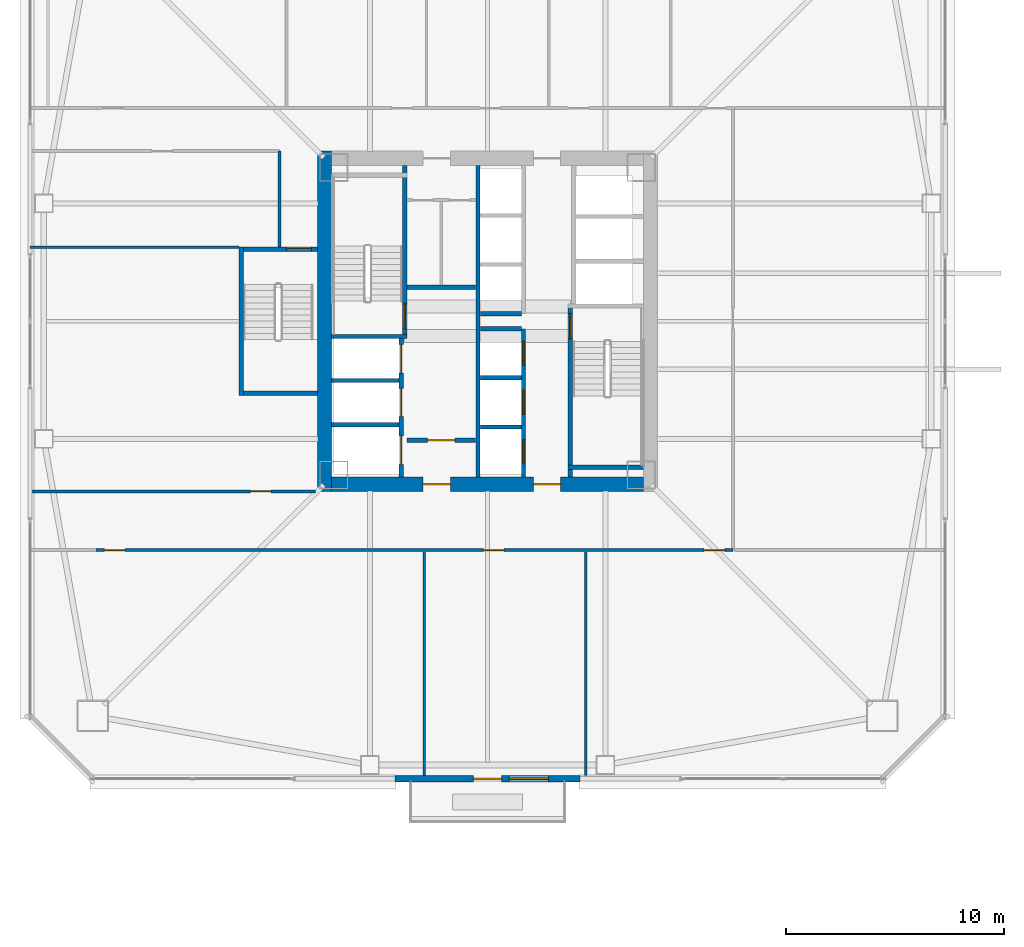
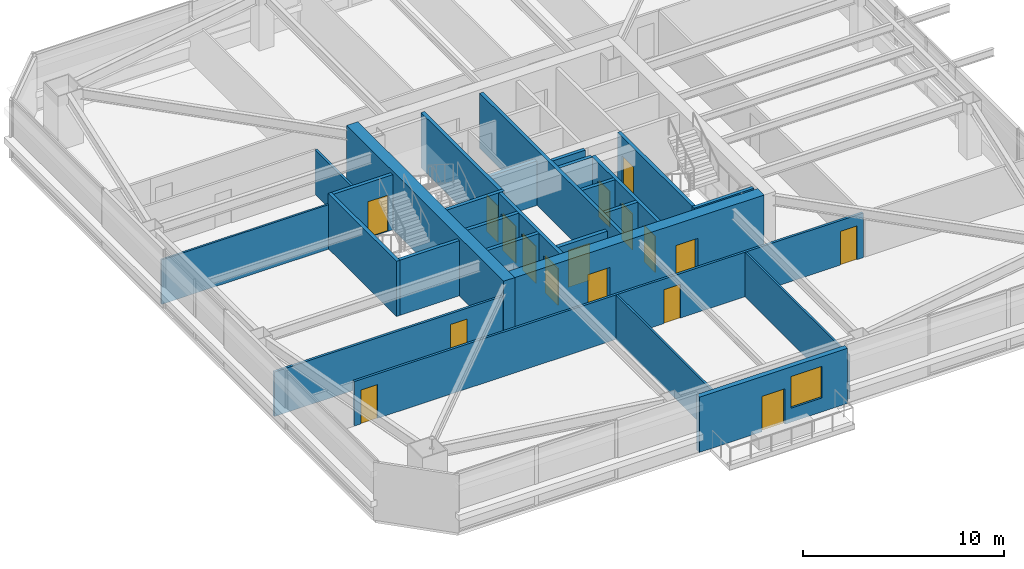
# One storey, part 33 of 44: 27 walls, 17 doors, 1 window, 18 openings.
"""IFC4 building model written with IfcOpenShell, lengths in metres."""

from ifc_helpers import new_model, si_unit, direction, frame, frame_2d, origin, place, context, subcontext, project, spatial, rectangle, extrude, material, layer, layer_set, type_object, element, fill, save


model = new_model("IFC4")

# Units and contexts
model_context = context("Model", 3, precision=1e-05, world=origin(), true_north=direction((0.0, 1.0)))
body_context = subcontext(model_context, "Body", "Model", "MODEL_VIEW")
ifc_project = project(units=[si_unit("LENGTHUNIT", "METRE"), si_unit("AREAUNIT", "SQUARE_METRE"), si_unit("VOLUMEUNIT", "CUBIC_METRE"), si_unit("PLANEANGLEUNIT", "RADIAN"), si_unit("MASSUNIT", "GRAM", prefix="KILO")], contexts=[model_context])

# Site, building, storey
site_placement = place(None, origin())
site = spatial("IfcSite", under=ifc_project, at=site_placement, CompositionType="ELEMENT")
building_placement = place(site_placement, origin())
building = spatial("IfcBuilding", under=site, at=building_placement, Name="Tashvorn Skyway Center", CompositionType="ELEMENT")
storey_placement = place(building_placement, frame((0.0, 0.0, 95.60009765625)))
storey = spatial("IfcBuildingStorey", under=building, at=storey_placement, Name="L25", CompositionType="ELEMENT", Elevation=95.60009765625)

# Wall
ifc_material_1 = material(Name="Concrete C60/75", Category="concrete")
ifc_layer_1 = layer(ifc_material_1, 0.64990234375)
ifc_layer_set_1 = layer_set([ifc_layer_1], Name="Concrete C60/75")
wall_type_1 = type_object("IfcWallType", Name="WALL-CORE-650", PredefinedType="SHEAR", material=ifc_layer_set_1)
wall_1_placement = place(storey_placement, frame((34.52490234375, 24.199951171875, 0.0), z_axis=(0.0, 0.0, 1.0), x_axis=(0.0, 1.0, 0.0)))
element("IfcWall", 1, at=wall_1_placement, inside=storey, type_object=wall_type_1, Name="Tower 1 L25 West Core Shear Wall", PredefinedType="SHEAR", context=body_context, shape_type="SweptSolid", body=[
    extrude(rectangle(XDim=15.60009765625, YDim=0.64990234375, at=frame_2d((7.800048828125, 0.0))), origin(), (0.0, 0.0, 1.0), 3.5498046875),
])

# Wall, openings, doors
wall_2_placement = place(storey_placement, frame((49.14990234375, 24.52490234375, 0.0), z_axis=(0.0, 0.0, 1.0), x_axis=(-1.0, 0.0, 0.0)))
wall_2 = element("IfcWall", 2, at=wall_2_placement, inside=storey, type_object=wall_type_1, Name="Tower 1 L25 South Core Shear Wall", PredefinedType="SHEAR", context=body_context, shape_type="SweptSolid", body=[
    extrude(rectangle(XDim=14.2998046875, YDim=0.64990234375, at=frame_2d((7.14990234375, 0.0))), origin(), (0.0, 0.0, 1.0), 3.5498046875),
])
opening_1_placement = place(wall_2_placement, frame((8.85009765625, 0.0, 0.0)))
opening_1 = element("IfcOpeningElement", 3, at=opening_1_placement, cuts=wall_2, Name="Opening D-FFL-1250", PredefinedType="OPENING", context=body_context, shape_type="SweptSolid", body=[
    extrude(rectangle(XDim=1.25, YDim=2.25, at=frame_2d((0.625, 1.125))), frame((0.0, 0.3349609375, 0.0), z_axis=(0.0, -1.0, 0.0), x_axis=(1.0, 0.0, 0.0)), (0.0, 0.0, 1.0), 0.669921875),
])
opening_2_placement = place(wall_2_placement, frame((3.800048828125, 0.0, 0.0)))
opening_2 = element("IfcOpeningElement", 4, at=opening_2_placement, cuts=wall_2, Name="Opening D-FFL-1250", PredefinedType="OPENING", context=body_context, shape_type="SweptSolid", body=[
    extrude(rectangle(XDim=1.25, YDim=2.25, at=frame_2d((0.625, 1.125))), frame((0.0, 0.3349609375, 0.0), z_axis=(0.0, -1.0, 0.0), x_axis=(1.0, 0.0, 0.0)), (0.0, 0.0, 1.0), 0.669921875),
])
ifc_material_2 = material(Name="Hollow galvanized steel fire door assembly", Category="steel")
door_type_1 = type_object("IfcDoorType", Name="DOOR-FFL-1250", OperationType="NOTDEFINED", PredefinedType="DOOR", material=ifc_material_2)
door_1_placement = place(opening_1_placement, origin())
door_1 = element("IfcDoor", 5, at=door_1_placement, inside=storey, type_object=door_type_1, Name="Tower 1 L25 Core South Firefighting Exit Door", OperationType="SINGLE_SWING_LEFT", OverallHeight=2.25, OverallWidth=1.25, PredefinedType="DOOR", context=body_context, shape_type="SweptSolid", body=[
    extrude(rectangle(XDim=1.25, YDim=2.25, at=frame_2d((0.625, 1.125))), frame((0.0, 0.02490234375, 0.0), z_axis=(0.0, -1.0, 0.0), x_axis=(1.0, 0.0, 0.0)), (0.0, 0.0, 1.0), 0.050048828125),
])
fill(opening_1, door_1)
door_2_placement = place(opening_2_placement, origin())
door_2 = element("IfcDoor", 6, at=door_2_placement, inside=storey, type_object=door_type_1, Name="Tower 1 L25 Core South Lift Lobby Door", OperationType="SINGLE_SWING_RIGHT", OverallHeight=2.25, OverallWidth=1.25, PredefinedType="DOOR", context=body_context, shape_type="SweptSolid", body=[
    extrude(rectangle(XDim=1.25, YDim=2.25, at=frame_2d((0.625, 1.125))), frame((0.0, 0.02490234375, 0.0), z_axis=(0.0, -1.0, 0.0), x_axis=(1.0, 0.0, 0.0)), (0.0, 0.0, 1.0), 0.050048828125),
])
fill(opening_2, door_2)

# Wall, openings, door, window
ifc_material_3 = material(Name="Precast concrete C40/50", Category="concrete")
ifc_layer_2 = layer(ifc_material_3, 0.280029296875)
ifc_layer_set_2 = layer_set([ifc_layer_2], Name="Precast concrete C40/50")
wall_type_2 = type_object("IfcWallType", Name="WALL-EXT-280", PredefinedType="SOLIDWALL", material=ifc_layer_set_2)
wall_3_placement = place(storey_placement, frame((46.25, 11.02001953125, 0.0), z_axis=(0.0, 0.0, 1.0), x_axis=(-1.0, 0.0, 0.0)))
wall_3 = element("IfcWall", 7, at=wall_3_placement, inside=storey, type_object=wall_type_2, Name="Tower 1 L25 South Terrace Portal Wall", PredefinedType="SOLIDWALL", context=body_context, shape_type="SweptSolid", body=[
    extrude(rectangle(XDim=8.5, YDim=0.280029296875, at=frame_2d((4.25, 0.0))), origin(), (0.0, 0.0, 1.0), 3.349853515625),
])
opening_3_placement = place(wall_3_placement, frame((3.60009765625, 0.0, 0.0)))
opening_3 = element("IfcOpeningElement", 8, at=opening_3_placement, cuts=wall_3, Name="Opening D-TER-1300", PredefinedType="OPENING", context=body_context, shape_type="SweptSolid", body=[
    extrude(rectangle(XDim=1.300048828125, YDim=2.14990234375, at=frame_2d((0.64990234375, 1.074951171875))), frame((0.0, 0.14990234375, 0.0), z_axis=(0.0, -1.0, 0.0), x_axis=(1.0, 0.0, 0.0)), (0.0, 0.0, 1.0), 0.300048828125),
])
opening_4_placement = place(wall_3_placement, frame((1.4599609375, 0.0, 0.85009765625)))
opening_4 = element("IfcOpeningElement", 9, at=opening_4_placement, cuts=wall_3, Name="Opening WIN-1800", PredefinedType="OPENING", context=body_context, shape_type="SweptSolid", body=[
    extrude(rectangle(XDim=1.800048828125, YDim=1.919921875, at=frame_2d((0.89990234375, 0.9599609375))), frame((0.0, 0.14990234375, 0.0), z_axis=(0.0, -1.0, 0.0), x_axis=(1.0, 0.0, 0.0)), (0.0, 0.0, 1.0), 0.300048828125),
])
ifc_material_4 = material(Name="Thermally broken bronze-anodized aluminium 6063-T6", Category="aluminium")
door_type_2 = type_object("IfcDoorType", Name="DOOR-TERR-1300", OperationType="NOTDEFINED", PredefinedType="DOOR", material=ifc_material_4)
door_3_placement = place(opening_3_placement, origin())
door_3 = element("IfcDoor", 10, at=door_3_placement, inside=storey, type_object=door_type_2, Name="Tower 1 L25 Terrace Access Door", OperationType="SINGLE_SWING_LEFT", OverallHeight=2.14990234375, OverallWidth=1.300048828125, PredefinedType="DOOR", context=body_context, shape_type="SweptSolid", body=[
    extrude(rectangle(XDim=1.300048828125, YDim=2.14990234375, at=frame_2d((0.64990234375, 1.074951171875))), frame((0.0, 0.02490234375, 0.0), z_axis=(0.0, -1.0, 0.0), x_axis=(1.0, 0.0, 0.0)), (0.0, 0.0, 1.0), 0.050048828125),
])
fill(opening_3, door_3)
ifc_material_5 = material(Name="Low-E solar-control double insulating safety glass", Category="glass")
window_type = type_object("IfcWindowType", Name="WIN-TERR-1800", PartitioningType="SINGLE_PANEL", PredefinedType="WINDOW", material=ifc_material_5)
window_placement = place(opening_4_placement, origin())
window = element("IfcWindow", 11, at=window_placement, inside=storey, type_object=window_type, Name="Tower 1 L25 Terrace Window", OverallHeight=1.919921875, OverallWidth=1.800048828125, PartitioningType="SINGLE_PANEL", PredefinedType="WINDOW", context=body_context, shape_type="SweptSolid", body=[
    extrude(rectangle(XDim=1.800048828125, YDim=1.919921875, at=frame_2d((0.89990234375, 0.9599609375))), frame((0.0, 0.030029296875, 0.0), z_axis=(0.0, -1.0, 0.0), x_axis=(1.0, 0.0, 0.0)), (0.0, 0.0, 1.0), 0.06005859375),
])
fill(opening_4, window)

# Wall
ifc_material_6 = material(Name="Concrete C40/50", Category="concrete")
ifc_layer_3 = layer(ifc_material_6, 0.219970703125)
ifc_layer_set_3 = layer_set([ifc_layer_3], Name="Concrete C40/50")
wall_type_3 = type_object("IfcWallType", Name="WALL-FFL-220", PredefinedType="SOLIDWALL", material=ifc_layer_set_3)
wall_4_placement = place(storey_placement, frame((38.300048828125, 33.56005859375, 0.0), z_axis=(0.0, 0.0, 1.0), x_axis=(1.0, 0.0, 0.0)))
element("IfcWall", 12, at=wall_4_placement, inside=storey, type_object=wall_type_3, Name="Tower 1 L25 Firefighting Lobby North Wall", PredefinedType="SOLIDWALL", context=body_context, shape_type="SweptSolid", body=[
    extrude(rectangle(XDim=3.14990234375, YDim=0.219970703125, at=frame_2d((1.574951171875, 0.0))), origin(), (0.0, 0.0, 1.0), 2.702880859375),
])

# Wall, opening, door
wall_5_placement = place(storey_placement, frame((38.300048828125, 26.5400390625, 0.0), z_axis=(0.0, 0.0, 1.0), x_axis=(1.0, 0.0, 0.0)))
wall_5 = element("IfcWall", 13, at=wall_5_placement, inside=storey, type_object=wall_type_3, Name="Tower 1 L25 Firefighting Lobby South Wall", PredefinedType="SOLIDWALL", context=body_context, shape_type="SweptSolid", body=[
    extrude(rectangle(XDim=3.14990234375, YDim=0.219970703125, at=frame_2d((1.574951171875, 0.0))), origin(), (0.0, 0.0, 1.0), 2.702880859375),
])
opening_5_placement = place(wall_5_placement, frame((0.949951171875, 0.0, 0.0)))
opening_5 = element("IfcOpeningElement", 14, at=opening_5_placement, cuts=wall_5, Name="Opening D-FFL-1250", PredefinedType="OPENING", context=body_context, shape_type="SweptSolid", body=[
    extrude(rectangle(XDim=1.25, YDim=2.25, at=frame_2d((0.625, 1.125))), frame((0.0, 0.119873046875, 0.0), z_axis=(0.0, -1.0, 0.0), x_axis=(1.0, 0.0, 0.0)), (0.0, 0.0, 1.0), 0.239990234375),
])
door_4_placement = place(opening_5_placement, origin())
door_4 = element("IfcDoor", 15, at=door_4_placement, inside=storey, type_object=door_type_1, Name="Tower 1 L25 Firefighting Lobby Egress Door", OperationType="SINGLE_SWING_LEFT", OverallHeight=2.25, OverallWidth=1.25, PredefinedType="DOOR", context=body_context, shape_type="SweptSolid", body=[
    extrude(rectangle(XDim=1.25, YDim=2.25, at=frame_2d((0.625, 1.125))), frame((0.0, 0.02490234375, 0.0), z_axis=(0.0, -1.0, 0.0), x_axis=(1.0, 0.0, 0.0)), (0.0, 0.0, 1.0), 0.050048828125),
])
fill(opening_5, door_4)

# Walls
ifc_material_7 = material(Name="Gypsum board on cold-formed steel stud framing", Category="steel")
ifc_layer_4 = layer(ifc_material_7, 0.110107421875)
ifc_layer_set_4 = layer_set([ifc_layer_4], Name="Gypsum board on cold-formed steel stud framing")
wall_type_4 = type_object("IfcWallType", Name="WALL-PART-110", PredefinedType="PARTITIONING", material=ifc_layer_set_4)
for number, where, z_axis, x_axis, name in (
    (16, (39.10009765625, 11.169921875, 0.0), (0.0, 0.0, 1.0), (0.0, 1.0, 0.0), "Tower 1 L25 South Suite Partition 1"),
    (17, (46.5, 11.169921875, 0.0), (0.0, 0.0, 1.0), (0.0, 1.0, 0.0), "Tower 1 L25 South Suite Partition 2"),
):
    element("IfcWall", number, at=place(storey_placement, frame(where, z_axis=z_axis, x_axis=x_axis)), inside=storey, type_object=wall_type_4, Name=name, PredefinedType="PARTITIONING", context=body_context, shape_type="SweptSolid", body=[
        extrude(rectangle(XDim=10.25, YDim=0.110107421875, at=frame_2d((5.125, 0.0))), origin(), (0.0, 0.0, 1.0), 2.702880859375),
    ])
wall_6_placement = place(storey_placement, frame((30.60009765625, 35.39990234375, 0.0), z_axis=(0.0, 0.0, 1.0), x_axis=(-1.0, 0.0, 0.0)))
element("IfcWall", 18, at=wall_6_placement, inside=storey, type_object=wall_type_4, Name="Tower 1 L25 West Suite Partition 1", PredefinedType="PARTITIONING", context=body_context, shape_type="SweptSolid", body=[
    extrude(rectangle(XDim=9.580078125, YDim=0.110107421875, at=frame_2d((4.7900390625, 0.0))), origin(), (0.0, 0.0, 1.0), 2.702880859375),
])
ifc_layer_5 = layer(ifc_material_7, 0.135009765625)
ifc_layer_set_5 = layer_set([ifc_layer_5], Name="Gypsum board on cold-formed steel stud framing")
wall_type_5 = type_object("IfcWallType", Name="WALL-PART-135", PredefinedType="PARTITIONING", material=ifc_layer_set_5)
wall_7_placement = place(storey_placement, frame((32.449951171875, 35.39990234375, 0.0), z_axis=(0.0, 0.0, 1.0), x_axis=(0.0, 1.0, 0.0)))
element("IfcWall", 19, at=wall_7_placement, inside=storey, type_object=wall_type_5, Name="Tower 1 L25 Stair 3 Access Corridor Wall", PredefinedType="PARTITIONING", context=body_context, shape_type="SweptSolid", body=[
    extrude(rectangle(XDim=4.400146484375, YDim=0.135009765625, at=frame_2d((2.2001953125, 0.0))), origin(), (0.0, 0.0, 1.0), 2.702880859375),
])

# Wall, openings, doors
wall_8_placement = place(storey_placement, frame((53.25, 21.5, 0.0), z_axis=(0.0, 0.0, 1.0), x_axis=(-1.0, 0.0, 0.0)))
wall_8 = element("IfcWall", 20, at=wall_8_placement, inside=storey, type_object=wall_type_5, Name="Tower 1 L25 South Suite Wall", PredefinedType="PARTITIONING", context=body_context, shape_type="SweptSolid", body=[
    extrude(rectangle(XDim=29.199951171875, YDim=0.135009765625, at=frame_2d((14.60009765625, 0.0))), origin(), (0.0, 0.0, 1.0), 2.702880859375),
])
opening_6_placement = place(wall_8_placement, frame((27.8701171875, 0.0, 0.0)))
opening_6 = element("IfcOpeningElement", 21, at=opening_6_placement, cuts=wall_8, Name="Opening D-INT-950", PredefinedType="OPENING", context=body_context, shape_type="SweptSolid", body=[
    extrude(rectangle(XDim=0.949951171875, YDim=2.050048828125, at=frame_2d((0.47509765625, 1.02490234375))), frame((0.0, 0.077392578125, 0.0), z_axis=(0.0, -1.0, 0.0), x_axis=(1.0, 0.0, 0.0)), (0.0, 0.0, 1.0), 0.155029296875),
])
opening_7_placement = place(wall_8_placement, frame((10.4921875, 0.0, 0.0)))
opening_7 = element("IfcOpeningElement", 22, at=opening_7_placement, cuts=wall_8, Name="Opening D-INT-950", PredefinedType="OPENING", context=body_context, shape_type="SweptSolid", body=[
    extrude(rectangle(XDim=0.949951171875, YDim=2.050048828125, at=frame_2d((0.47509765625, 1.02490234375))), frame((0.0, 0.077392578125, 0.0), z_axis=(0.0, -1.0, 0.0), x_axis=(1.0, 0.0, 0.0)), (0.0, 0.0, 1.0), 0.155029296875),
])
opening_8_placement = place(wall_8_placement, frame((0.3798828125, 0.0, 0.0)))
opening_8 = element("IfcOpeningElement", 23, at=opening_8_placement, cuts=wall_8, Name="Opening D-INT-950", PredefinedType="OPENING", context=body_context, shape_type="SweptSolid", body=[
    extrude(rectangle(XDim=0.949951171875, YDim=2.050048828125, at=frame_2d((0.47509765625, 1.02490234375))), frame((0.0, 0.077392578125, 0.0), z_axis=(0.0, -1.0, 0.0), x_axis=(1.0, 0.0, 0.0)), (0.0, 0.0, 1.0), 0.155029296875),
])
ifc_material_8 = material(Name="Solid-core architectural oak veneer door")
door_type_3 = type_object("IfcDoorType", Name="DOOR-INT-950", OperationType="NOTDEFINED", PredefinedType="DOOR", material=ifc_material_8)
door_5_placement = place(opening_6_placement, origin())
door_5 = element("IfcDoor", 24, at=door_5_placement, inside=storey, type_object=door_type_3, Name="Tower 1 L25 Research Library Door", OperationType="SINGLE_SWING_LEFT", OverallHeight=2.050048828125, OverallWidth=0.949951171875, PredefinedType="DOOR", context=body_context, shape_type="SweptSolid", body=[
    extrude(rectangle(XDim=0.949951171875, YDim=2.050048828125, at=frame_2d((0.47509765625, 1.02490234375))), frame((0.0, 0.02490234375, 0.0), z_axis=(0.0, -1.0, 0.0), x_axis=(1.0, 0.0, 0.0)), (0.0, 0.0, 1.0), 0.050048828125),
])
fill(opening_6, door_5)
door_6_placement = place(opening_7_placement, origin())
door_6 = element("IfcDoor", 25, at=door_6_placement, inside=storey, type_object=door_type_3, Name="Tower 1 L25 Reading Lounge Door", OperationType="SINGLE_SWING_RIGHT", OverallHeight=2.050048828125, OverallWidth=0.949951171875, PredefinedType="DOOR", context=body_context, shape_type="SweptSolid", body=[
    extrude(rectangle(XDim=0.949951171875, YDim=2.050048828125, at=frame_2d((0.47509765625, 1.02490234375))), frame((0.0, 0.02490234375, 0.0), z_axis=(0.0, -1.0, 0.0), x_axis=(1.0, 0.0, 0.0)), (0.0, 0.0, 1.0), 0.050048828125),
])
fill(opening_7, door_6)
door_7_placement = place(opening_8_placement, origin())
door_7 = element("IfcDoor", 26, at=door_7_placement, inside=storey, type_object=door_type_3, Name="Tower 1 L25 Reading Lounge Door", OperationType="SINGLE_SWING_LEFT", OverallHeight=2.050048828125, OverallWidth=0.949951171875, PredefinedType="DOOR", context=body_context, shape_type="SweptSolid", body=[
    extrude(rectangle(XDim=0.949951171875, YDim=2.050048828125, at=frame_2d((0.47509765625, 1.02490234375))), frame((0.0, 0.02490234375, 0.0), z_axis=(0.0, -1.0, 0.0), x_axis=(1.0, 0.0, 0.0)), (0.0, 0.0, 1.0), 0.050048828125),
])
fill(opening_8, door_7)

# Wall, opening, door
wall_9_placement = place(storey_placement, frame((21.02001953125, 24.199951171875, 0.0), z_axis=(0.0, 0.0, 1.0), x_axis=(1.0, 0.0, 0.0)))
wall_9 = element("IfcWall", 27, at=wall_9_placement, inside=storey, type_object=wall_type_5, Name="Tower 1 L25 West Suite South Wall", PredefinedType="PARTITIONING", context=body_context, shape_type="SweptSolid", body=[
    extrude(rectangle(XDim=13.10009765625, YDim=0.135009765625, at=frame_2d((6.550048828125, 0.0))), origin(), (0.0, 0.0, 1.0), 2.702880859375),
])
opening_9_placement = place(wall_9_placement, frame((10.10498046875, 0.0, 0.0)))
opening_9 = element("IfcOpeningElement", 28, at=opening_9_placement, cuts=wall_9, Name="Opening D-INT-950", PredefinedType="OPENING", context=body_context, shape_type="SweptSolid", body=[
    extrude(rectangle(XDim=0.949951171875, YDim=2.050048828125, at=frame_2d((0.47509765625, 1.02490234375))), frame((0.0, 0.077392578125, 0.0), z_axis=(0.0, -1.0, 0.0), x_axis=(1.0, 0.0, 0.0)), (0.0, 0.0, 1.0), 0.155029296875),
])
door_8_placement = place(opening_9_placement, origin())
door_8 = element("IfcDoor", 29, at=door_8_placement, inside=storey, type_object=door_type_3, Name="Tower 1 L25 Public Restroom Door", OperationType="SINGLE_SWING_RIGHT", OverallHeight=2.050048828125, OverallWidth=0.949951171875, PredefinedType="DOOR", context=body_context, shape_type="SweptSolid", body=[
    extrude(rectangle(XDim=0.949951171875, YDim=2.050048828125, at=frame_2d((0.47509765625, 1.02490234375))), frame((0.0, 0.02490234375, 0.0), z_axis=(0.0, -1.0, 0.0), x_axis=(1.0, 0.0, 0.0)), (0.0, 0.0, 1.0), 0.050048828125),
])
fill(opening_9, door_8)

# Walls
ifc_layer_6 = layer(ifc_material_6, 0.199951171875)
ifc_layer_set_6 = layer_set([ifc_layer_6], Name="Concrete C40/50")
wall_type_6 = type_object("IfcWallType", Name="WALL-SHAFT-200", PredefinedType="SOLIDWALL", material=ifc_layer_set_6)
for number, where, z_axis, x_axis, name in (
    (30, (34.85009765625, 27.25, 0.0), (0.0, 0.0, 1.0), (1.0, 0.0, 0.0), "Tower 1 L25 FSAE Shaft Divider"),
    (31, (34.85009765625, 29.280029296875, 0.0), (0.0, 0.0, 1.0), (1.0, 0.0, 0.0), "Tower 1 L25 FSAE Shaft Divider"),
):
    element("IfcWall", number, at=place(storey_placement, frame(where, z_axis=z_axis, x_axis=x_axis)), inside=storey, type_object=wall_type_6, Name=name, PredefinedType="SOLIDWALL", context=body_context, shape_type="SweptSolid", body=[
        extrude(rectangle(XDim=3.099853515625, YDim=0.199951171875, at=frame_2d((1.5498046875, 0.0))), origin(), (0.0, 0.0, 1.0), 3.349853515625),
    ])

# Wall, openings, doors
wall_10_placement = place(storey_placement, frame((43.64990234375, 24.85009765625, 0.0), z_axis=(0.0, 0.0, 1.0), x_axis=(0.0, 1.0, 0.0)))
wall_10 = element("IfcWall", 32, at=wall_10_placement, inside=storey, type_object=wall_type_6, Name="Tower 1 L25 Low-Rise Core Wall", PredefinedType="SOLIDWALL", context=body_context, shape_type="SweptSolid", body=[
    extrude(rectangle(XDim=6.7998046875, YDim=0.199951171875, at=frame_2d((3.39990234375, 0.0))), origin(), (0.0, 0.0, 1.0), 3.349853515625),
])
opening_10_placement = place(wall_10_placement, frame((0.625, 0.0, 0.0)))
opening_10 = element("IfcOpeningElement", 33, at=opening_10_placement, cuts=wall_10, Name="Opening LD-LR-T1-1-L25", PredefinedType="OPENING", context=body_context, shape_type="SweptSolid", body=[
    extrude(rectangle(XDim=1.10009765625, YDim=2.199951171875, at=frame_2d((0.550048828125, 1.10009765625))), frame((0.0, 0.10986328125, 0.0), z_axis=(0.0, -1.0, 0.0), x_axis=(1.0, 0.0, 0.0)), (0.0, 0.0, 1.0), 0.219970703125),
])
opening_11_placement = place(wall_10_placement, frame((2.875, 0.0, 0.0)))
opening_11 = element("IfcOpeningElement", 34, at=opening_11_placement, cuts=wall_10, Name="Opening LD-LR-T1-2-L25", PredefinedType="OPENING", context=body_context, shape_type="SweptSolid", body=[
    extrude(rectangle(XDim=1.10009765625, YDim=2.199951171875, at=frame_2d((0.550048828125, 1.10009765625))), frame((0.0, 0.10986328125, 0.0), z_axis=(0.0, -1.0, 0.0), x_axis=(1.0, 0.0, 0.0)), (0.0, 0.0, 1.0), 0.219970703125),
])
opening_12_placement = place(wall_10_placement, frame((5.125, 0.0, 0.0)))
opening_12 = element("IfcOpeningElement", 35, at=opening_12_placement, cuts=wall_10, Name="Opening LD-LR-T1-3-L25", PredefinedType="OPENING", context=body_context, shape_type="SweptSolid", body=[
    extrude(rectangle(XDim=1.10009765625, YDim=2.199951171875, at=frame_2d((0.550048828125, 1.10009765625))), frame((0.0, 0.10986328125, 0.0), z_axis=(0.0, -1.0, 0.0), x_axis=(1.0, 0.0, 0.0)), (0.0, 0.0, 1.0), 0.219970703125),
])
ifc_material_9 = material(Name="Stainless steel landing door", Category="steel")
door_type_4 = type_object("IfcDoorType", Name="DOOR-LIFT-1100", OperationType="SLIDING_TO_LEFT", PredefinedType="DOOR", material=ifc_material_9)
door_9_placement = place(opening_10_placement, origin())
door_9 = element("IfcDoor", 36, at=door_9_placement, inside=storey, type_object=door_type_4, Name="Lift LR-T1-1 L25 Landing Door", OperationType="SLIDING_TO_LEFT", OverallHeight=2.199951171875, OverallWidth=1.10009765625, PredefinedType="DOOR", context=body_context, shape_type="SweptSolid", body=[
    extrude(rectangle(XDim=1.10009765625, YDim=2.199951171875, at=frame_2d((0.550048828125, 1.10009765625))), frame((0.0, 0.02490234375, 0.0), z_axis=(0.0, -1.0, 0.0), x_axis=(1.0, 0.0, 0.0)), (0.0, 0.0, 1.0), 0.050048828125),
])
fill(opening_10, door_9)
door_10_placement = place(opening_11_placement, origin())
door_10 = element("IfcDoor", 37, at=door_10_placement, inside=storey, type_object=door_type_4, Name="Lift LR-T1-2 L25 Landing Door", OperationType="SLIDING_TO_LEFT", OverallHeight=2.199951171875, OverallWidth=1.10009765625, PredefinedType="DOOR", context=body_context, shape_type="SweptSolid", body=[
    extrude(rectangle(XDim=1.10009765625, YDim=2.199951171875, at=frame_2d((0.550048828125, 1.10009765625))), frame((0.0, 0.02490234375, 0.0), z_axis=(0.0, -1.0, 0.0), x_axis=(1.0, 0.0, 0.0)), (0.0, 0.0, 1.0), 0.050048828125),
])
fill(opening_11, door_10)
door_11_placement = place(opening_12_placement, origin())
door_11 = element("IfcDoor", 38, at=door_11_placement, inside=storey, type_object=door_type_4, Name="Lift LR-T1-3 L25 Landing Door", OperationType="SLIDING_TO_LEFT", OverallHeight=2.199951171875, OverallWidth=1.10009765625, PredefinedType="DOOR", context=body_context, shape_type="SweptSolid", body=[
    extrude(rectangle(XDim=1.10009765625, YDim=2.199951171875, at=frame_2d((0.550048828125, 1.10009765625))), frame((0.0, 0.02490234375, 0.0), z_axis=(0.0, -1.0, 0.0), x_axis=(1.0, 0.0, 0.0)), (0.0, 0.0, 1.0), 0.050048828125),
])
fill(opening_12, door_11)

# Walls
for number, where, z_axis, x_axis, name in (
    (39, (41.669921875, 27.14990234375, 0.0), (0.0, 0.0, 1.0), (1.0, 0.0, 0.0), "Tower 1 L25 Low-Rise Shaft Divider"),
    (40, (41.669921875, 29.39990234375, 0.0), (0.0, 0.0, 1.0), (1.0, 0.0, 0.0), "Tower 1 L25 Low-Rise Shaft Divider"),
    (41, (41.669921875, 31.64990234375, 0.0), (0.0, 0.0, 1.0), (1.0, 0.0, 0.0), "Tower 1 L25 Low-Rise Shaft Divider"),
    (42, (41.669921875, 32.35009765625, 0.0), (0.0, 0.0, 1.0), (1.0, 0.0, 0.0), "Tower 1 L25 Mid-Rise Shaft Divider"),
):
    element("IfcWall", number, at=place(storey_placement, frame(where, z_axis=z_axis, x_axis=x_axis)), inside=storey, type_object=wall_type_6, Name=name, PredefinedType="SOLIDWALL", context=body_context, shape_type="SweptSolid", body=[
        extrude(rectangle(XDim=1.880126953125, YDim=0.199951171875, at=frame_2d((0.93994140625, 0.0))), origin(), (0.0, 0.0, 1.0), 3.349853515625),
    ])

# Wall, opening, door
ifc_layer_7 = layer(ifc_material_6, 0.199951171875)
ifc_layer_set_7 = layer_set([ifc_layer_7], Name="Concrete C40/50")
wall_type_7 = type_object("IfcWallType", Name="WALL-STSHF-200", PredefinedType="SHEAR", material=ifc_layer_set_7)
wall_11_placement = place(storey_placement, frame((38.199951171875, 31.199951171875, 0.0), z_axis=(0.0, 0.0, 1.0), x_axis=(0.0, 1.0, 0.0)))
wall_11 = element("IfcWall", 43, at=wall_11_placement, inside=storey, type_object=wall_type_7, Name="Tower 1 L25 Stair 1 Enclosure Wall", PredefinedType="SHEAR", context=body_context, shape_type="SweptSolid", body=[
    extrude(rectangle(XDim=7.949951171875, YDim=0.199951171875, at=frame_2d((3.97509765625, 0.0))), origin(), (0.0, 0.0, 1.0), 3.349853515625),
])
opening_13_placement = place(wall_11_placement, frame((0.449951171875, 0.0, 0.0)))
opening_13 = element("IfcOpeningElement", 44, at=opening_13_placement, cuts=wall_11, Name="Opening D-ST-1150", PredefinedType="OPENING", context=body_context, shape_type="SweptSolid", body=[
    extrude(rectangle(XDim=1.14990234375, YDim=2.199951171875, at=frame_2d((0.574951171875, 1.10009765625))), frame((0.0, 0.10986328125, 0.0), z_axis=(0.0, -1.0, 0.0), x_axis=(1.0, 0.0, 0.0)), (0.0, 0.0, 1.0), 0.219970703125),
])
door_type_5 = type_object("IfcDoorType", Name="DOOR-STAIR-1150", OperationType="NOTDEFINED", PredefinedType="DOOR", material=ifc_material_2)
door_12_placement = place(opening_13_placement, origin())
door_12 = element("IfcDoor", 45, at=door_12_placement, inside=storey, type_object=door_type_5, Name="Tower 1 L25 Exit Stair 1 Door", OperationType="SINGLE_SWING_RIGHT", OverallHeight=2.199951171875, OverallWidth=1.14990234375, PredefinedType="DOOR", context=body_context, shape_type="SweptSolid", body=[
    extrude(rectangle(XDim=1.14990234375, YDim=2.199951171875, at=frame_2d((0.574951171875, 1.10009765625))), frame((0.0, 0.02490234375, 0.0), z_axis=(0.0, -1.0, 0.0), x_axis=(1.0, 0.0, 0.0)), (0.0, 0.0, 1.0), 0.050048828125),
])
fill(opening_13, door_12)

# Wall
wall_12_placement = place(storey_placement, frame((34.85009765625, 31.300048828125, 0.0), z_axis=(0.0, 0.0, 1.0), x_axis=(1.0, 0.0, 0.0)))
element("IfcWall", 46, at=wall_12_placement, inside=storey, type_object=wall_type_7, Name="Tower 1 L25 Stair 1 South Wall", PredefinedType="SHEAR", context=body_context, shape_type="SweptSolid", body=[
    extrude(rectangle(XDim=3.449951171875, YDim=0.199951171875, at=frame_2d((1.72509765625, 0.0))), origin(), (0.0, 0.0, 1.0), 3.349853515625),
])

# Wall, opening, door
wall_13_placement = place(storey_placement, frame((45.800048828125, 32.800048828125, 0.0), z_axis=(0.0, 0.0, 1.0), x_axis=(0.0, -1.0, 0.0)))
wall_13 = element("IfcWall", 47, at=wall_13_placement, inside=storey, type_object=wall_type_7, Name="Tower 1 L25 Stair 2 Enclosure Wall", PredefinedType="SHEAR", context=body_context, shape_type="SweptSolid", body=[
    extrude(rectangle(XDim=7.949951171875, YDim=0.199951171875, at=frame_2d((3.97509765625, 0.0))), origin(), (0.0, 0.0, 1.0), 3.349853515625),
])
opening_14_placement = place(wall_13_placement, frame((0.449951171875, 0.0, 0.0)))
opening_14 = element("IfcOpeningElement", 48, at=opening_14_placement, cuts=wall_13, Name="Opening D-ST-1150", PredefinedType="OPENING", context=body_context, shape_type="SweptSolid", body=[
    extrude(rectangle(XDim=1.14990234375, YDim=2.199951171875, at=frame_2d((0.574951171875, 1.10009765625))), frame((0.0, 0.10986328125, 0.0), z_axis=(0.0, -1.0, 0.0), x_axis=(1.0, 0.0, 0.0)), (0.0, 0.0, 1.0), 0.219970703125),
])
door_13_placement = place(opening_14_placement, origin())
door_13 = element("IfcDoor", 49, at=door_13_placement, inside=storey, type_object=door_type_5, Name="Tower 1 L25 Exit Stair 2 Door", OperationType="SINGLE_SWING_RIGHT", OverallHeight=2.199951171875, OverallWidth=1.14990234375, PredefinedType="DOOR", context=body_context, shape_type="SweptSolid", body=[
    extrude(rectangle(XDim=1.14990234375, YDim=2.199951171875, at=frame_2d((0.574951171875, 1.10009765625))), frame((0.0, 0.02490234375, 0.0), z_axis=(0.0, -1.0, 0.0), x_axis=(1.0, 0.0, 0.0)), (0.0, 0.0, 1.0), 0.050048828125),
])
fill(opening_14, door_13)

# Walls
wall_14_placement = place(storey_placement, frame((45.699951171875, 25.300048828125, 0.0), z_axis=(0.0, 0.0, 1.0), x_axis=(1.0, 0.0, 0.0)))
element("IfcWall", 50, at=wall_14_placement, inside=storey, type_object=wall_type_7, Name="Tower 1 L25 Stair 2 South Wall", PredefinedType="SHEAR", context=body_context, shape_type="SweptSolid", body=[
    extrude(rectangle(XDim=3.449951171875, YDim=0.199951171875, at=frame_2d((1.72509765625, 0.0))), origin(), (0.0, 0.0, 1.0), 3.349853515625),
])
wall_15_placement = place(storey_placement, frame((41.56005859375, 24.85009765625, 0.0), z_axis=(0.0, 0.0, 1.0), x_axis=(0.0, 1.0, 0.0)))
element("IfcWall", 51, at=wall_15_placement, inside=storey, type_object=wall_type_7, Name="Tower 1 L25 Firefighting Lobby East Smoke Barrier", PredefinedType="SHEAR", context=body_context, shape_type="SweptSolid", body=[
    extrude(rectangle(XDim=14.2998046875, YDim=0.199951171875, at=frame_2d((7.14990234375, 0.0))), origin(), (0.0, 0.0, 1.0), 3.349853515625),
])

# Wall, openings, doors
wall_16_placement = place(storey_placement, frame((38.050048828125, 24.85009765625, 0.0), z_axis=(0.0, 0.0, 1.0), x_axis=(0.0, 1.0, 0.0)))
wall_16 = element("IfcWall", 52, at=wall_16_placement, inside=storey, type_object=wall_type_7, Name="Tower 1 L25 FSAE and Goods Shaft Front Wall", PredefinedType="SHEAR", context=body_context, shape_type="SweptSolid", body=[
    extrude(rectangle(XDim=6.349853515625, YDim=0.199951171875, at=frame_2d((3.1748046875, 0.0))), origin(), (0.0, 0.0, 1.0), 3.349853515625),
])
opening_15_placement = place(wall_16_placement, frame((4.77490234375, 0.0, 0.0)))
opening_15 = element("IfcOpeningElement", 53, at=opening_15_placement, cuts=wall_16, Name="Opening LD-FF-T1-1-L25", PredefinedType="OPENING", context=body_context, shape_type="SweptSolid", body=[
    extrude(rectangle(XDim=1.300048828125, YDim=2.25, at=frame_2d((0.64990234375, 1.125))), frame((0.0, 0.10986328125, 0.0), z_axis=(0.0, -1.0, 0.0), x_axis=(1.0, 0.0, 0.0)), (0.0, 0.0, 1.0), 0.219970703125),
])
opening_16_placement = place(wall_16_placement, frame((2.77490234375, 0.0, 0.0)))
opening_16 = element("IfcOpeningElement", 54, at=opening_16_placement, cuts=wall_16, Name="Opening LD-FF-T1-2-L25", PredefinedType="OPENING", context=body_context, shape_type="SweptSolid", body=[
    extrude(rectangle(XDim=1.300048828125, YDim=2.25, at=frame_2d((0.64990234375, 1.125))), frame((0.0, 0.10986328125, 0.0), z_axis=(0.0, -1.0, 0.0), x_axis=(1.0, 0.0, 0.0)), (0.0, 0.0, 1.0), 0.219970703125),
])
opening_17_placement = place(wall_16_placement, frame((0.574951171875, 0.0, 0.0)))
opening_17 = element("IfcOpeningElement", 55, at=opening_17_placement, cuts=wall_16, Name="Opening LD-GD-T1-1-L25", PredefinedType="OPENING", context=body_context, shape_type="SweptSolid", body=[
    extrude(rectangle(XDim=1.300048828125, YDim=2.25, at=frame_2d((0.64990234375, 1.125))), frame((0.0, 0.10986328125, 0.0), z_axis=(0.0, -1.0, 0.0), x_axis=(1.0, 0.0, 0.0)), (0.0, 0.0, 1.0), 0.219970703125),
])
ifc_material_10 = material(Name="Stainless steel heavy-duty landing door", Category="steel")
door_type_6 = type_object("IfcDoorType", Name="DOOR-LIFT-1300", OperationType="SLIDING_TO_LEFT", PredefinedType="DOOR", material=ifc_material_10)
door_14_placement = place(opening_15_placement, origin())
door_14 = element("IfcDoor", 56, at=door_14_placement, inside=storey, type_object=door_type_6, Name="Lift FF-T1-1 L25 Landing Door", OperationType="SLIDING_TO_LEFT", OverallHeight=2.25, OverallWidth=1.300048828125, PredefinedType="DOOR", context=body_context, shape_type="SweptSolid", body=[
    extrude(rectangle(XDim=1.300048828125, YDim=2.25, at=frame_2d((0.64990234375, 1.125))), frame((0.0, 0.02490234375, 0.0), z_axis=(0.0, -1.0, 0.0), x_axis=(1.0, 0.0, 0.0)), (0.0, 0.0, 1.0), 0.050048828125),
])
fill(opening_15, door_14)
door_15_placement = place(opening_16_placement, origin())
door_15 = element("IfcDoor", 57, at=door_15_placement, inside=storey, type_object=door_type_6, Name="Lift FF-T1-2 L25 Landing Door", OperationType="SLIDING_TO_LEFT", OverallHeight=2.25, OverallWidth=1.300048828125, PredefinedType="DOOR", context=body_context, shape_type="SweptSolid", body=[
    extrude(rectangle(XDim=1.300048828125, YDim=2.25, at=frame_2d((0.64990234375, 1.125))), frame((0.0, 0.02490234375, 0.0), z_axis=(0.0, -1.0, 0.0), x_axis=(1.0, 0.0, 0.0)), (0.0, 0.0, 1.0), 0.050048828125),
])
fill(opening_16, door_15)
door_16_placement = place(opening_17_placement, origin())
door_16 = element("IfcDoor", 58, at=door_16_placement, inside=storey, type_object=door_type_6, Name="Lift GD-T1-1 L25 Landing Door", OperationType="SLIDING_TO_LEFT", OverallHeight=2.25, OverallWidth=1.300048828125, PredefinedType="DOOR", context=body_context, shape_type="SweptSolid", body=[
    extrude(rectangle(XDim=1.300048828125, YDim=2.25, at=frame_2d((0.64990234375, 1.125))), frame((0.0, 0.02490234375, 0.0), z_axis=(0.0, -1.0, 0.0), x_axis=(1.0, 0.0, 0.0)), (0.0, 0.0, 1.0), 0.050048828125),
])
fill(opening_17, door_16)

# Wall
wall_17_placement = place(storey_placement, frame((30.699951171875, 28.60009765625, 0.0), z_axis=(0.0, 0.0, 1.0), x_axis=(0.0, 1.0, 0.0)))
element("IfcWall", 59, at=wall_17_placement, inside=storey, type_object=wall_type_7, Name="Tower 1 L25 Stair 3 Outer Wall", PredefinedType="SHEAR", context=body_context, shape_type="SweptSolid", body=[
    extrude(rectangle(XDim=6.7998046875, YDim=0.199951171875, at=frame_2d((3.39990234375, 0.0))), origin(), (0.0, 0.0, 1.0), 3.349853515625),
])

# Wall, opening, door
wall_18_placement = place(storey_placement, frame((34.199951171875, 35.300048828125, 0.0), z_axis=(0.0, 0.0, 1.0), x_axis=(-1.0, 0.0, 0.0)))
wall_18 = element("IfcWall", 60, at=wall_18_placement, inside=storey, type_object=wall_type_7, Name="Tower 1 L25 Stair 3 Enclosure Wall", PredefinedType="SHEAR", context=body_context, shape_type="SweptSolid", body=[
    extrude(rectangle(XDim=3.39990234375, YDim=0.199951171875, at=frame_2d((1.699951171875, 0.0))), origin(), (0.0, 0.0, 1.0), 3.349853515625),
])
opening_18_placement = place(wall_18_placement, frame((0.27490234375, 0.0, 0.0)))
opening_18 = element("IfcOpeningElement", 61, at=opening_18_placement, cuts=wall_18, Name="Opening D-ST-1150", PredefinedType="OPENING", context=body_context, shape_type="SweptSolid", body=[
    extrude(rectangle(XDim=1.14990234375, YDim=2.199951171875, at=frame_2d((0.574951171875, 1.10009765625))), frame((0.0, 0.10986328125, 0.0), z_axis=(0.0, -1.0, 0.0), x_axis=(1.0, 0.0, 0.0)), (0.0, 0.0, 1.0), 0.219970703125),
])
door_17_placement = place(opening_18_placement, origin())
door_17 = element("IfcDoor", 62, at=door_17_placement, inside=storey, type_object=door_type_5, Name="Tower 1 L25 Exit Stair 3 Door", OperationType="SINGLE_SWING_RIGHT", OverallHeight=2.199951171875, OverallWidth=1.14990234375, PredefinedType="DOOR", context=body_context, shape_type="SweptSolid", body=[
    extrude(rectangle(XDim=1.14990234375, YDim=2.199951171875, at=frame_2d((0.574951171875, 1.10009765625))), frame((0.0, 0.02490234375, 0.0), z_axis=(0.0, -1.0, 0.0), x_axis=(1.0, 0.0, 0.0)), (0.0, 0.0, 1.0), 0.050048828125),
])
fill(opening_18, door_17)

# Wall
wall_19_placement = place(storey_placement, frame((30.800048828125, 28.699951171875, 0.0), z_axis=(0.0, 0.0, 1.0), x_axis=(1.0, 0.0, 0.0)))
element("IfcWall", 63, at=wall_19_placement, inside=storey, type_object=wall_type_7, Name="Tower 1 L25 Stair 3 South Wall", PredefinedType="SHEAR", context=body_context, shape_type="SweptSolid", body=[
    extrude(rectangle(XDim=3.39990234375, YDim=0.199951171875, at=frame_2d((1.699951171875, 0.0))), origin(), (0.0, 0.0, 1.0), 3.349853515625),
])

save(model, "model.ifc")
